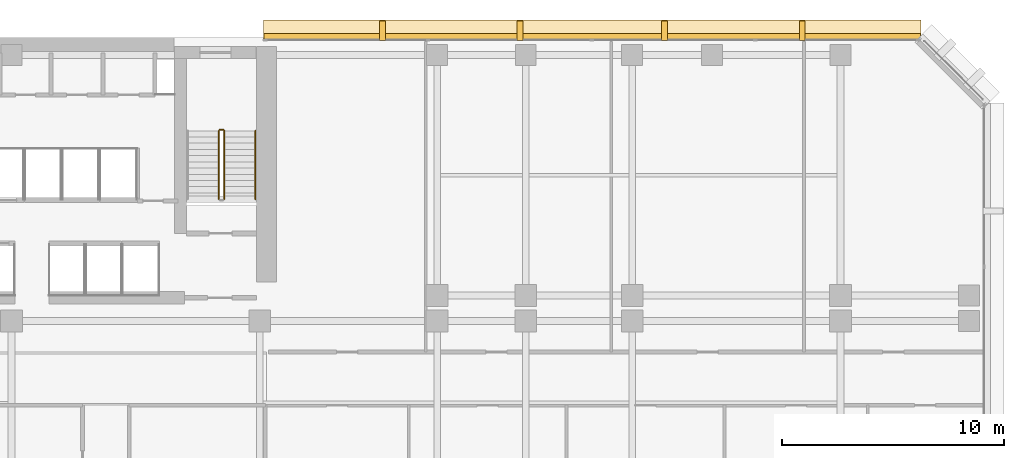
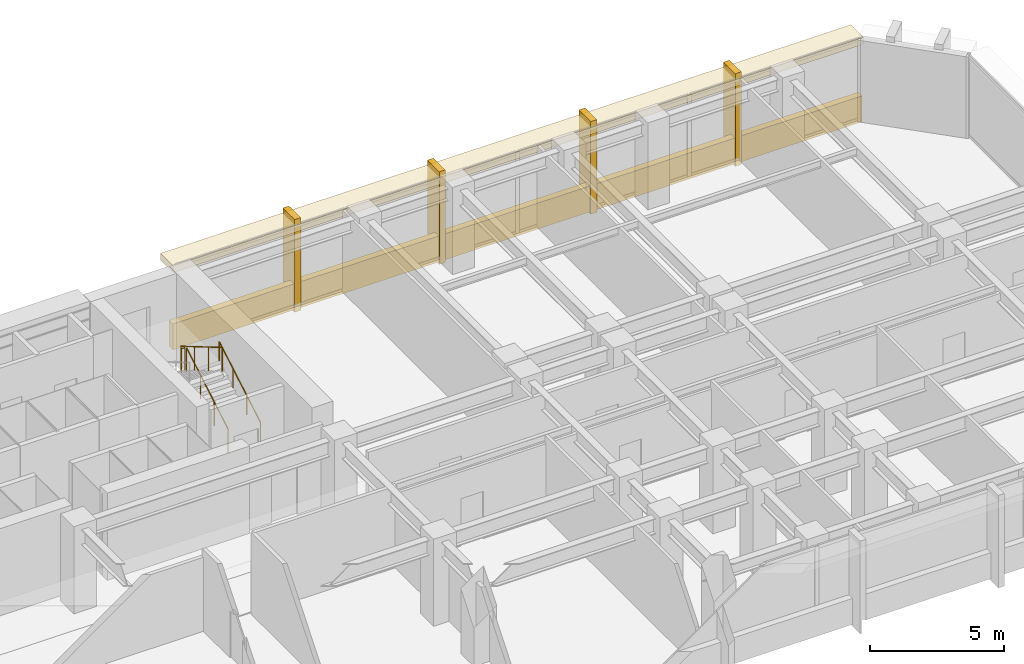
# One storey, part 13 of 14: 6 coverings, 4 railings.
"""IFC4 building model written with IfcOpenShell, lengths in metres."""

from ifc_helpers import new_model, si_unit, direction, frame, origin, origin_2d, place, context, subcontext, project, spatial, rectangle, circle, extrude, material, layer, layer_set, type_object, element, save


model = new_model("IFC4")

# Units and contexts
model_context = context("Model", 3, precision=1e-05, world=origin(), true_north=direction((0.0, 1.0)))
body_context = subcontext(model_context, "Body", "Model", "MODEL_VIEW")
ifc_project = project(units=[si_unit("LENGTHUNIT", "METRE"), si_unit("AREAUNIT", "SQUARE_METRE"), si_unit("VOLUMEUNIT", "CUBIC_METRE"), si_unit("PLANEANGLEUNIT", "RADIAN"), si_unit("MASSUNIT", "GRAM", prefix="KILO")], contexts=[model_context])

# Site, building, storey
site_placement = place(None, origin())
site = spatial("IfcSite", under=ifc_project, at=site_placement, CompositionType="ELEMENT")
building_placement = place(site_placement, origin())
building = spatial("IfcBuilding", under=site, at=building_placement, Name="Kefirva Bronze Tower", CompositionType="ELEMENT")
storey_placement = place(building_placement, frame((0.0, 0.0, 66.0)))
storey = spatial("IfcBuildingStorey", under=building, at=storey_placement, Name="L15", CompositionType="ELEMENT", Elevation=66.0)

# Covering
ifc_material_1 = material(Name="Bronze anodised aluminium", Category="aluminium")
ifc_layer_1 = layer(ifc_material_1, 0.02001953125, Name="Bronze anodised aluminium")
ifc_layer_set_1 = layer_set([ifc_layer_1], Name="Bronze anodised aluminium")
covering_type_1 = type_object("IfcCoveringType", Name="Anodised Bronze Spandrel Cladding 20mm", PredefinedType="CLADDING", material=ifc_layer_set_1)
covering_1_placement = place(storey_placement, frame((38.202392578125, 46.0400390625, -0.16015625), z_axis=(0.0, 0.0, 1.0), x_axis=(-1.0, 0.0, 0.0)))
element("IfcCovering", 1, at=covering_1_placement, inside=storey, type_object=covering_type_1, Name="L15 Streamline Horizontal Spandrel Band 12", PredefinedType="CLADDING", context=body_context, shape_type="SweptSolid", body=[
    extrude(rectangle(XDim=29.635009765625, YDim=0.280029296875, at=origin_2d()), origin(), (0.0, 0.0, 1.0), 1.179931640625),
])

# Railings
ifc_material_2 = material(Name="Stainless steel 316", Category="steel")
railing_type_1 = type_object("IfcRailingType", Name="Interior Stair Guardrail 1100mm", PredefinedType="GUARDRAIL", material=ifc_material_2)
railing_1_placement = place(storey_placement, frame((21.60009765625, 38.699951171875, 0.1650390625)))
element("IfcRailing", 2, at=railing_1_placement, inside=storey, type_object=railing_type_1, Name="L15 ST-2 stair guard 1", PredefinedType="GUARDRAIL", context=body_context, shape_type="SweptSolid", body=[
    extrude(circle(Radius=0.02392578125, at=origin_2d()), frame((0.0, 0.0, 1.076171875), z_axis=(0.0, 0.861551262678, 0.507670583921), x_axis=(-1.0, 0.0, 0.0)), (0.0, 0.0, 1.0), 3.574951171875),
    extrude(circle(Radius=0.02099609375, at=origin_2d()), origin(), (0.0, 0.0, 1.0), 1.052001953125),
    extrude(circle(Radius=0.02099609375, at=origin_2d()), frame((0.0, 1.026611328125, 0.60498046875)), (0.0, 0.0, 1.0), 1.052001953125),
    extrude(circle(Radius=0.02099609375, at=origin_2d()), frame((0.0, 2.053466796875, 1.2099609375)), (0.0, 0.0, 1.0), 1.052001953125),
    extrude(circle(Radius=0.02099609375, at=origin_2d()), frame((0.0, 3.080078125, 1.81494140625)), (0.0, 0.0, 1.0), 1.052001953125),
])
railing_2_placement = place(storey_placement, frame((21.550048828125, 41.830078125, 1.97998046875)))
element("IfcRailing", 3, at=railing_2_placement, inside=storey, type_object=railing_type_1, Name="L15 ST-2 stair guard 2", PredefinedType="GUARDRAIL", context=body_context, shape_type="SweptSolid", body=[
    extrude(circle(Radius=0.02392578125, at=origin_2d()), frame((0.0, 0.0, 1.076171875), z_axis=(-1.0, 0.0, 0.0), x_axis=(0.0, -1.0, 0.0)), (0.0, 0.0, 1.0), 0.150146484375),
    extrude(circle(Radius=0.02099609375, at=origin_2d()), origin(), (0.0, 0.0, 1.0), 1.052001953125),
    extrude(circle(Radius=0.02099609375, at=origin_2d()), frame((-0.150146484375, 0.0, 0.0)), (0.0, 0.0, 1.0), 1.052001953125),
])
railing_3_placement = place(storey_placement, frame((21.35009765625, 41.780029296875, 2.14501953125)))
element("IfcRailing", 4, at=railing_3_placement, inside=storey, type_object=railing_type_1, Name="L15 ST-2 stair guard 3", PredefinedType="GUARDRAIL", context=body_context, shape_type="SweptSolid", body=[
    extrude(circle(Radius=0.02392578125, at=origin_2d()), frame((0.0, 0.0, 1.076171875), z_axis=(0.0, -0.861551262678, 0.507670583921), x_axis=(1.0, 0.0, 0.0)), (0.0, 0.0, 1.0), 3.574951171875),
    extrude(circle(Radius=0.02099609375, at=origin_2d()), origin(), (0.0, 0.0, 1.0), 1.052001953125),
    extrude(circle(Radius=0.02099609375, at=origin_2d()), frame((0.0, -1.026611328125, 0.60498046875)), (0.0, 0.0, 1.0), 1.052001953125),
    extrude(circle(Radius=0.02099609375, at=origin_2d()), frame((0.0, -2.053466796875, 1.2099609375)), (0.0, 0.0, 1.0), 1.052001953125),
    extrude(circle(Radius=0.02099609375, at=origin_2d()), frame((0.0, -3.080078125, 1.81494140625)), (0.0, 0.0, 1.0), 1.052001953125),
])
railing_type_2 = type_object("IfcRailingType", Name="Stair Pitch Handrail 900mm", PredefinedType="HANDRAIL", material=ifc_material_2)
railing_4_placement = place(storey_placement, frame((23.0, 38.699951171875, 0.1650390625)))
element("IfcRailing", 5, at=railing_4_placement, inside=storey, type_object=railing_type_2, Name="L15 ST-2 stair handrail 1", PredefinedType="HANDRAIL", context=body_context, shape_type="SweptSolid", body=[
    extrude(circle(Radius=0.02392578125, at=origin_2d()), frame((0.0, 0.0, 0.8759765625), z_axis=(0.0, 0.861551262678, 0.507670583921), x_axis=(-1.0, 0.0, 0.0)), (0.0, 0.0, 1.0), 3.574951171875),
    extrude(circle(Radius=0.02099609375, at=origin_2d()), origin(), (0.0, 0.0, 1.0), 0.851806640625),
    extrude(circle(Radius=0.02099609375, at=origin_2d()), frame((0.0, 1.026611328125, 0.60498046875)), (0.0, 0.0, 1.0), 0.851806640625),
    extrude(circle(Radius=0.02099609375, at=origin_2d()), frame((0.0, 2.053466796875, 1.2099609375)), (0.0, 0.0, 1.0), 0.851806640625),
    extrude(circle(Radius=0.02099609375, at=origin_2d()), frame((0.0, 3.080078125, 1.81494140625)), (0.0, 0.0, 1.0), 0.851806640625),
])

# Coverings
ifc_layer_2 = layer(ifc_material_1, 0.179931640625, Name="Bronze anodised aluminium")
ifc_layer_set_2 = layer_set([ifc_layer_2], Name="Bronze anodised aluminium")
covering_type_2 = type_object("IfcCoveringType", Name="Streamline Bronze Sunshade Eyebrow Cladding 180mm", PredefinedType="CLADDING", material=ifc_layer_set_2)
covering_2_placement = place(storey_placement, frame((38.202392578125, 46.31005859375, 3.39013671875), z_axis=(0.0, 0.0, 1.0), x_axis=(-1.0, 0.0, 0.0)))
element("IfcCovering", 6, at=covering_2_placement, inside=storey, type_object=covering_type_2, Name="L15 Streamline Bronze Sunshade Eyebrow 12", PredefinedType="CLADDING", context=body_context, shape_type="SweptSolid", body=[
    extrude(rectangle(XDim=29.675048828125, YDim=0.93994140625, at=origin_2d()), origin(), (0.0, 0.0, 1.0), 0.320068359375),
])
ifc_layer_3 = layer(ifc_material_1, 0.260009765625, Name="Bronze anodised aluminium")
ifc_layer_set_3 = layer_set([ifc_layer_3], Name="Bronze anodised aluminium")
covering_type_3 = type_object("IfcCoveringType", Name="Unbroken Bronze Buttress Fin Cladding 260mm", PredefinedType="CLADDING", material=ifc_layer_set_3)
for number, where, z_axis, x_axis, name in (
    (7, (47.6728515625, 46.300048828125, -0.25), (0.0, 0.0, 1.0), (-1.0, 0.0, 0.0), "L15 Unbroken Vertical Bronze Rib Fin 19"),
    (8, (41.4580078125, 46.300048828125, -0.25), (0.0, 0.0, 1.0), (-1.0, 0.0, 0.0), "L15 Unbroken Vertical Bronze Rib Fin 20"),
    (9, (34.947021484375, 46.300048828125, -0.25), (0.0, 0.0, 1.0), (-1.0, 0.0, 0.0), "L15 Unbroken Vertical Bronze Rib Fin 21"),
    (10, (28.732177734375, 46.300048828125, -0.25), (0.0, 0.0, 1.0), (-1.0, 0.0, 0.0), "L15 Unbroken Vertical Bronze Rib Fin 22"),
):
    element("IfcCovering", number, at=place(storey_placement, frame(where, z_axis=z_axis, x_axis=x_axis)), inside=storey, type_object=covering_type_3, Name=name, PredefinedType="CLADDING", context=body_context, shape_type="SweptSolid", body=[
        extrude(rectangle(XDim=0.260009765625, YDim=0.8798828125, at=origin_2d()), origin(), (0.0, 0.0, 1.0), 4.2099609375),
    ])

save(model, "model.ifc")
